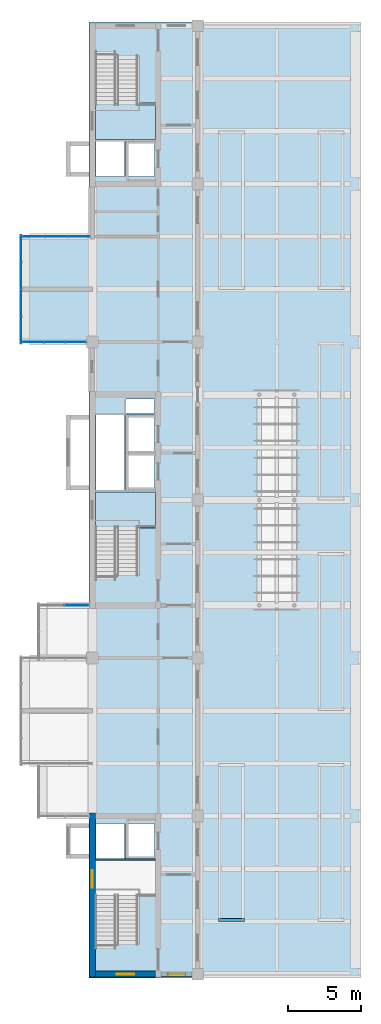
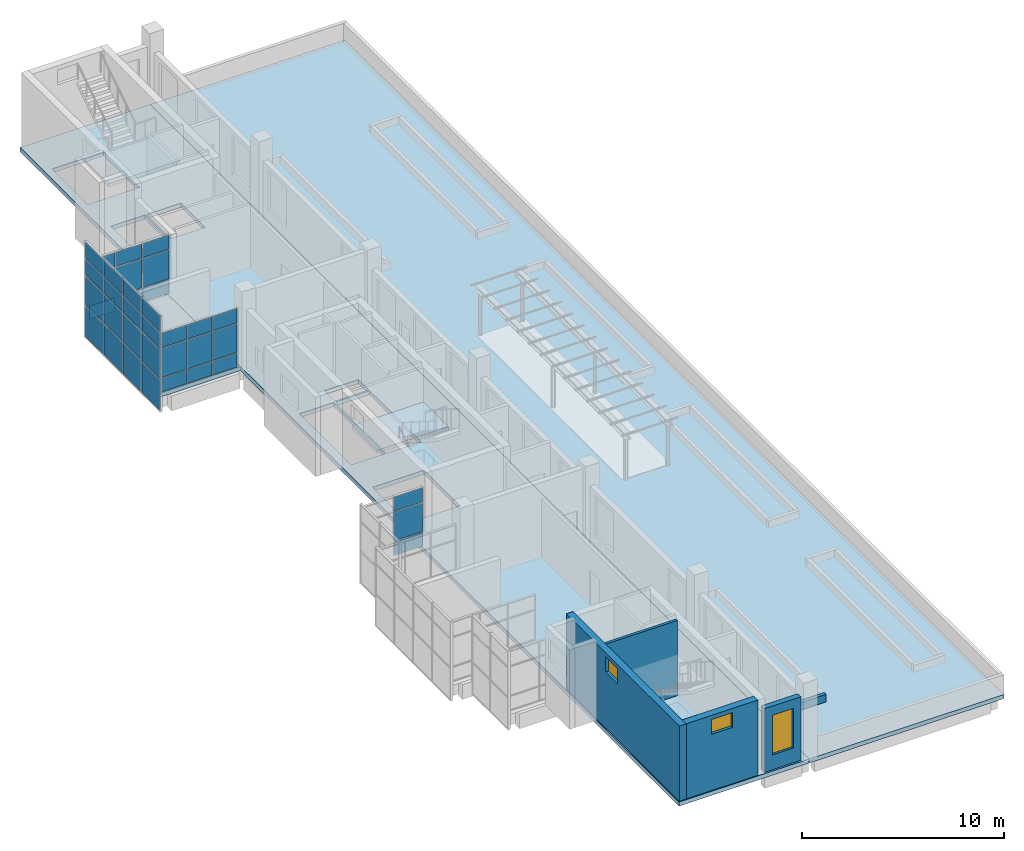
# One storey, part 11 of 16: 37 plates, 5 slabs, 5 walls, 3 windows, 3 openings, 6 elements without a shape of their own.
"""IFC4 building model written with IfcOpenShell, lengths in metres."""

from ifc_helpers import new_model, si_unit, direction, frame, frame_2d, origin, origin_2d, place, context, subcontext, project, spatial, polyline, rectangle, outline, extrude, material, layer, layer_set, type_object, element, fill, aggregate, save


model = new_model("IFC4")

# Units and contexts
model_context = context("Model", 3, precision=1e-05, world=origin(), true_north=direction((0.0, 1.0)))
body_context = subcontext(model_context, "Body", "Model", "MODEL_VIEW")
ifc_project = project(units=[si_unit("LENGTHUNIT", "METRE"), si_unit("AREAUNIT", "SQUARE_METRE"), si_unit("VOLUMEUNIT", "CUBIC_METRE"), si_unit("PLANEANGLEUNIT", "RADIAN"), si_unit("MASSUNIT", "GRAM", prefix="KILO")], contexts=[model_context])

# Site, building, storey
site_placement = place(None, origin())
site = spatial("IfcSite", under=ifc_project, at=site_placement, CompositionType="ELEMENT")
building_placement = place(site_placement, origin())
building = spatial("IfcBuilding", under=site, at=building_placement, Name="Basin Gate Institute", CompositionType="ELEMENT")
storey_placement = place(building_placement, frame((0.0, 0.0, 65.39990234375)))
storey = spatial("IfcBuildingStorey", under=building, at=storey_placement, Name="L13", CompositionType="ELEMENT", Elevation=65.39990234375)

# Slabs
ifc_material_1 = material(Name="Concrete 40 MPa", Category="concrete")
ifc_layer_1 = layer(ifc_material_1, 0.25)
ifc_layer_set_1 = layer_set([ifc_layer_1], Name="Concrete 40 MPa")
slab_type_1 = type_object("IfcSlabType", Name="Slab RS4 R120", PredefinedType="ROOF", material=ifc_layer_set_1)
slab_1_placement = place(storey_placement, frame((0.0, 0.0, -0.25)))
element("IfcSlab", 1, at=slab_1_placement, inside=storey, type_object=slab_type_1, material=ifc_layer_set_1, Name="SLAB/L13/W/LAB", PredefinedType="ROOF", context=body_context, shape_type="SweptSolid", body=[
    extrude(outline(polyline([(68.39990234375, 34.85009765625), (79.550048828125, 34.85009765625), (79.550048828125, 100.14990234375), (68.39990234375, 100.14990234375), (68.39990234375, 34.85009765625)])), origin(), (0.0, 0.0, 1.0), 0.25),
])
ifc_material_2 = material(Name="Concrete 40 MPa", Category="concrete")
ifc_layer_2 = layer(ifc_material_2, 0.25)
ifc_layer_set_2 = layer_set([ifc_layer_2], Name="Concrete 40 MPa")
slab_type_2 = type_object("IfcSlabType", Name="Slab SL4 R120", PredefinedType="FLOOR", material=ifc_layer_set_2)
slab_2_placement = place(storey_placement, frame((0.0, 0.0, -0.25)))
element("IfcSlab", 2, at=slab_2_placement, inside=storey, type_object=slab_type_2, material=ifc_layer_set_2, Name="SLAB/L13/W", PredefinedType="FLOOR", context=body_context, shape_type="SweptSolid", body=[
    extrude(outline(polyline([(60.949951171875, 34.85009765625), (68.39990234375, 34.85009765625), (68.39990234375, 100.14990234375), (60.949951171875, 100.14990234375), (60.949951171875, 34.85009765625)]), holes=[polyline([(61.39990234375, 37.25), (64.35009765625, 37.25), (64.35009765625, 40.7900390625), (61.39990234375, 40.7900390625), (61.39990234375, 37.25)]), polyline([(61.39990234375, 62.449951171875), (64.35009765625, 62.449951171875), (64.35009765625, 65.989990234375), (61.39990234375, 65.989990234375), (61.39990234375, 62.449951171875)]), polyline([(61.39990234375, 94.2099609375), (64.35009765625, 94.2099609375), (64.35009765625, 97.75), (61.39990234375, 97.75), (61.39990234375, 94.2099609375)]), polyline([(61.449951171875, 43.0), (63.39990234375, 43.0), (63.39990234375, 45.39990234375), (61.449951171875, 45.39990234375), (61.449951171875, 43.0)]), polyline([(61.449951171875, 68.199951171875), (63.39990234375, 68.199951171875), (63.39990234375, 73.300048828125), (61.449951171875, 73.300048828125), (61.449951171875, 68.199951171875)]), polyline([(63.5, 73.39990234375), (65.449951171875, 73.39990234375), (65.449951171875, 74.39990234375), (63.5, 74.39990234375), (63.5, 73.39990234375)]), polyline([(61.449951171875, 89.60009765625), (63.39990234375, 89.60009765625), (63.39990234375, 92.0), (61.449951171875, 92.0), (61.449951171875, 89.60009765625)]), polyline([(63.5, 43.0), (65.449951171875, 43.0), (65.449951171875, 45.39990234375), (63.5, 45.39990234375), (63.5, 43.0)]), polyline([(65.449951171875, 68.199951171875), (63.5, 68.199951171875), (63.5, 73.300048828125), (65.449951171875, 73.300048828125), (65.449951171875, 68.199951171875)]), polyline([(63.5, 89.60009765625), (65.449951171875, 89.60009765625), (65.449951171875, 92.0), (63.5, 92.0), (63.5, 89.60009765625)])]), origin(), (0.0, 0.0, 1.0), 0.25),
])
slab_3_placement = place(storey_placement, frame((0.0, 0.0, -0.25)))
element("IfcSlab", 3, at=slab_3_placement, inside=storey, type_object=slab_type_2, material=ifc_layer_set_2, Name="SLAB/L13/WK22", PredefinedType="FLOOR", context=body_context, shape_type="SweptSolid", body=[
    extrude(outline(polyline([(60.949951171875, 78.300048828125), (56.39990234375, 78.300048828125), (56.39990234375, 85.5), (60.949951171875, 85.5), (60.949951171875, 78.300048828125)])), origin(), (0.0, 0.0, 1.0), 0.25),
])

# Curtain wall, plate
ifc_material_3 = material(Name="Aluminium-framed glazing", Category="aluminium")
ifc_layer_3 = layer(ifc_material_3, 0.14990234375)
ifc_layer_set_3 = layer_set([ifc_layer_3], Name="Capsule front curtain wall CW1")
curtain_wall_type = type_object("IfcCurtainWallType", Name="Capsule front curtain wall CW1", PredefinedType="NOTDEFINED", material=ifc_layer_set_3)
curtain_wall_1_placement = place(storey_placement, origin())
curtain_wall_1 = element("IfcCurtainWall", 4, at=curtain_wall_1_placement, inside=storey, type_object=curtain_wall_type, material=ifc_layer_set_3, Name="Capsule front curtain wall W wing capsule end L13 line 8", PredefinedType="NOTDEFINED")
ifc_material_4 = material(Name="Aluminium insulated spandrel panel", Category="aluminium")
ifc_layer_4 = layer(ifc_material_4, 0.050048828125)
ifc_layer_set_4 = layer_set([ifc_layer_4], Name="Spandrel panel PN2")
plate_type_1 = type_object("IfcPlateType", Name="Spandrel panel PN2", PredefinedType="CURTAIN_PANEL", material=ifc_layer_set_4)
plate_1_placement = place(storey_placement, frame((60.137451171875, 60.300048828125, 0.06005859375), z_axis=(0.0, 0.0, 1.0), x_axis=(1.0, 0.0, 0.0)))
plate_1 = element("IfcPlate", 5, at=plate_1_placement, type_object=plate_type_1, material=ifc_layer_set_4, Name="CW1 spandrel panel 2.1", PredefinedType="CURTAIN_PANEL", context=body_context, shape_type="SweptSolid", body=[
    extrude(rectangle(XDim=1.625, YDim=0.050048828125, at=origin_2d()), origin(), (0.0, 0.0, 1.0), 0.81005859375),
])

# Curtain wall, plates
curtain_wall_2_placement = place(storey_placement, origin())
curtain_wall_2 = element("IfcCurtainWall", 6, at=curtain_wall_2_placement, inside=storey, type_object=curtain_wall_type, material=ifc_layer_set_3, Name="Capsule front curtain wall W wing capsule end L13 line 13", PredefinedType="NOTDEFINED")
plate_2_placement = place(storey_placement, frame((57.145751953125, 78.300048828125, 0.06005859375), z_axis=(0.0, 0.0, 1.0), x_axis=(1.0, 0.0, 0.0)))
plate_2 = element("IfcPlate", 7, at=plate_2_placement, type_object=plate_type_1, material=ifc_layer_set_4, Name="CW1 spandrel panel 1.1", PredefinedType="CURTAIN_PANEL", context=body_context, shape_type="SweptSolid", body=[
    extrude(rectangle(XDim=1.3916015625, YDim=0.050048828125, at=origin_2d()), origin(), (0.0, 0.0, 1.0), 0.81005859375),
])
plate_3_placement = place(storey_placement, frame((58.60009765625, 78.300048828125, 0.06005859375), z_axis=(0.0, 0.0, 1.0), x_axis=(1.0, 0.0, 0.0)))
plate_3 = element("IfcPlate", 8, at=plate_3_placement, type_object=plate_type_1, material=ifc_layer_set_4, Name="CW1 spandrel panel 2.1", PredefinedType="CURTAIN_PANEL", context=body_context, shape_type="SweptSolid", body=[
    extrude(rectangle(XDim=1.416748046875, YDim=0.050048828125, at=origin_2d()), origin(), (0.0, 0.0, 1.0), 0.81005859375),
])
plate_4_placement = place(storey_placement, frame((60.05419921875, 78.300048828125, 0.06005859375), z_axis=(0.0, 0.0, 1.0), x_axis=(1.0, 0.0, 0.0)))
plate_4 = element("IfcPlate", 9, at=plate_4_placement, type_object=plate_type_1, material=ifc_layer_set_4, Name="CW1 spandrel panel 3.1", PredefinedType="CURTAIN_PANEL", context=body_context, shape_type="SweptSolid", body=[
    extrude(rectangle(XDim=1.3916015625, YDim=0.050048828125, at=origin_2d()), origin(), (0.0, 0.0, 1.0), 0.81005859375),
])

curtain_wall_3_placement = place(storey_placement, origin())
curtain_wall_3 = element("IfcCurtainWall", 10, at=curtain_wall_3_placement, inside=storey, type_object=curtain_wall_type, material=ifc_layer_set_3, Name="Capsule front curtain wall W wing capsule end L13 line 15", PredefinedType="NOTDEFINED")
plate_5_placement = place(storey_placement, frame((57.1875, 85.5, 0.06005859375), z_axis=(0.0, 0.0, 1.0), x_axis=(1.0, 0.0, 0.0)))
plate_5 = element("IfcPlate", 11, at=plate_5_placement, type_object=plate_type_1, material=ifc_layer_set_4, Name="CW1 spandrel panel 1.1", PredefinedType="CURTAIN_PANEL", context=body_context, shape_type="SweptSolid", body=[
    extrude(rectangle(XDim=1.47509765625, YDim=0.050048828125, at=origin_2d()), origin(), (0.0, 0.0, 1.0), 0.81005859375),
])
plate_6_placement = place(storey_placement, frame((58.72509765625, 85.5, 0.06005859375), z_axis=(0.0, 0.0, 1.0), x_axis=(1.0, 0.0, 0.0)))
plate_6 = element("IfcPlate", 12, at=plate_6_placement, type_object=plate_type_1, material=ifc_layer_set_4, Name="CW1 spandrel panel 2.1", PredefinedType="CURTAIN_PANEL", context=body_context, shape_type="SweptSolid", body=[
    extrude(rectangle(XDim=1.5, YDim=0.050048828125, at=origin_2d()), origin(), (0.0, 0.0, 1.0), 0.81005859375),
])
plate_7_placement = place(storey_placement, frame((60.262451171875, 85.5, 0.06005859375), z_axis=(0.0, 0.0, 1.0), x_axis=(1.0, 0.0, 0.0)))
plate_7 = element("IfcPlate", 13, at=plate_7_placement, type_object=plate_type_1, material=ifc_layer_set_4, Name="CW1 spandrel panel 3.1", PredefinedType="CURTAIN_PANEL", context=body_context, shape_type="SweptSolid", body=[
    extrude(rectangle(XDim=1.47509765625, YDim=0.050048828125, at=origin_2d()), origin(), (0.0, 0.0, 1.0), 0.81005859375),
])

curtain_wall_4_placement = place(storey_placement, origin())
curtain_wall_4 = element("IfcCurtainWall", 14, at=curtain_wall_4_placement, inside=storey, type_object=curtain_wall_type, material=ifc_layer_set_3, Name="Capsule front curtain wall W wing capsule 2 L13 front 2", PredefinedType="NOTDEFINED")
plate_8_placement = place(storey_placement, frame((56.324951171875, 79.10009765625, -0.98974609375), z_axis=(0.0, 0.0, 1.0), x_axis=(0.0, 1.0, 0.0)))
plate_8 = element("IfcPlate", 15, at=plate_8_placement, type_object=plate_type_1, material=ifc_layer_set_4, Name="CW1 spandrel panel 1.1", PredefinedType="CURTAIN_PANEL", context=body_context, shape_type="SweptSolid", body=[
    extrude(rectangle(XDim=1.800048828125, YDim=0.050048828125, at=origin_2d()), origin(), (0.0, 0.0, 1.0), 1.860107421875),
])
plate_9_placement = place(storey_placement, frame((56.324951171875, 79.10009765625, 3.780029296875), z_axis=(0.0, 0.0, 1.0), x_axis=(0.0, 1.0, 0.0)))
plate_9 = element("IfcPlate", 16, at=plate_9_placement, type_object=plate_type_1, material=ifc_layer_set_4, Name="CW1 spandrel panel 1.4", PredefinedType="CURTAIN_PANEL", context=body_context, shape_type="SweptSolid", body=[
    extrude(rectangle(XDim=1.800048828125, YDim=0.050048828125, at=origin_2d()), origin(), (0.0, 0.0, 1.0), 0.9599609375),
])
plate_10_placement = place(storey_placement, frame((56.324951171875, 80.96240234375, -0.98974609375), z_axis=(0.0, 0.0, 1.0), x_axis=(0.0, 1.0, 0.0)))
plate_10 = element("IfcPlate", 17, at=plate_10_placement, type_object=plate_type_1, material=ifc_layer_set_4, Name="CW1 spandrel panel 2.1", PredefinedType="CURTAIN_PANEL", context=body_context, shape_type="SweptSolid", body=[
    extrude(rectangle(XDim=1.824951171875, YDim=0.050048828125, at=origin_2d()), origin(), (0.0, 0.0, 1.0), 1.860107421875),
])
plate_11_placement = place(storey_placement, frame((56.324951171875, 80.96240234375, 3.780029296875), z_axis=(0.0, 0.0, 1.0), x_axis=(0.0, 1.0, 0.0)))
plate_11 = element("IfcPlate", 18, at=plate_11_placement, type_object=plate_type_1, material=ifc_layer_set_4, Name="CW1 spandrel panel 2.4", PredefinedType="CURTAIN_PANEL", context=body_context, shape_type="SweptSolid", body=[
    extrude(rectangle(XDim=1.824951171875, YDim=0.050048828125, at=origin_2d()), origin(), (0.0, 0.0, 1.0), 0.9599609375),
])
plate_12_placement = place(storey_placement, frame((56.324951171875, 82.83740234375, -0.98974609375), z_axis=(0.0, 0.0, 1.0), x_axis=(0.0, 1.0, 0.0)))
plate_12 = element("IfcPlate", 19, at=plate_12_placement, type_object=plate_type_1, material=ifc_layer_set_4, Name="CW1 spandrel panel 3.1", PredefinedType="CURTAIN_PANEL", context=body_context, shape_type="SweptSolid", body=[
    extrude(rectangle(XDim=1.824951171875, YDim=0.050048828125, at=origin_2d()), origin(), (0.0, 0.0, 1.0), 1.860107421875),
])
plate_13_placement = place(storey_placement, frame((56.324951171875, 82.83740234375, 3.780029296875), z_axis=(0.0, 0.0, 1.0), x_axis=(0.0, 1.0, 0.0)))
plate_13 = element("IfcPlate", 20, at=plate_13_placement, type_object=plate_type_1, material=ifc_layer_set_4, Name="CW1 spandrel panel 3.4", PredefinedType="CURTAIN_PANEL", context=body_context, shape_type="SweptSolid", body=[
    extrude(rectangle(XDim=1.824951171875, YDim=0.050048828125, at=origin_2d()), origin(), (0.0, 0.0, 1.0), 0.9599609375),
])
plate_14_placement = place(storey_placement, frame((56.324951171875, 84.699951171875, -0.98974609375), z_axis=(0.0, 0.0, 1.0), x_axis=(0.0, 1.0, 0.0)))
plate_14 = element("IfcPlate", 21, at=plate_14_placement, type_object=plate_type_1, material=ifc_layer_set_4, Name="CW1 spandrel panel 4.1", PredefinedType="CURTAIN_PANEL", context=body_context, shape_type="SweptSolid", body=[
    extrude(rectangle(XDim=1.800048828125, YDim=0.050048828125, at=origin_2d()), origin(), (0.0, 0.0, 1.0), 1.860107421875),
])
plate_15_placement = place(storey_placement, frame((56.324951171875, 84.699951171875, 3.780029296875), z_axis=(0.0, 0.0, 1.0), x_axis=(0.0, 1.0, 0.0)))
plate_15 = element("IfcPlate", 22, at=plate_15_placement, type_object=plate_type_1, material=ifc_layer_set_4, Name="CW1 spandrel panel 4.4", PredefinedType="CURTAIN_PANEL", context=body_context, shape_type="SweptSolid", body=[
    extrude(rectangle(XDim=1.800048828125, YDim=0.050048828125, at=origin_2d()), origin(), (0.0, 0.0, 1.0), 0.9599609375),
])

# Stair, slab
ifc_material_5 = material(Name="Concrete 40 MPa", Category="concrete")
stair_type = type_object("IfcStairType", Name="Stair ST", PredefinedType="HALF_TURN_STAIR", material=ifc_material_5)
stair_1_placement = place(storey_placement, origin())
stair_1 = element("IfcStair", 23, at=stair_1_placement, inside=storey, type_object=stair_type, material=ifc_material_5, Name="Special safe stair ST-WM L13", PredefinedType="HALF_TURN_STAIR")
ifc_material_6 = material(Name="Concrete 40 MPa", Category="concrete")
ifc_layer_5 = layer(ifc_material_6, 0.199951171875)
ifc_layer_set_5 = layer_set([ifc_layer_5], Name="Concrete 40 MPa")
slab_type_3 = type_object("IfcSlabType", Name="Stair landing LN REI 120", PredefinedType="LANDING", material=ifc_layer_set_5)
slab_4_placement = place(storey_placement, frame((0.0, 0.0, 2.2890625)))
slab_4 = element("IfcSlab", 24, at=slab_4_placement, type_object=slab_type_3, material=ifc_layer_set_5, Name="Stair landing ST-WM-L1 L13", PredefinedType="LANDING", context=body_context, shape_type="SweptSolid", body=[
    extrude(outline(polyline([(61.39990234375, 65.570068359375), (65.5, 65.570068359375), (65.5, 68.050048828125), (61.39990234375, 68.050048828125), (61.39990234375, 65.570068359375)])), origin(), (0.0, 0.0, 1.0), 0.199951171875),
])
aggregate(stair_1, [slab_4])

stair_2_placement = place(storey_placement, origin())
stair_2 = element("IfcStair", 25, at=stair_2_placement, inside=storey, type_object=stair_type, material=ifc_material_5, Name="Special safe stair ST-WN L13", PredefinedType="HALF_TURN_STAIR")
slab_5_placement = place(storey_placement, frame((0.0, 0.0, 2.2890625)))
slab_5 = element("IfcSlab", 26, at=slab_5_placement, type_object=slab_type_3, material=ifc_layer_set_5, Name="Stair landing ST-WN-L1 L13", PredefinedType="LANDING", context=body_context, shape_type="SweptSolid", body=[
    extrude(outline(polyline([(61.39990234375, 92.14990234375), (65.5, 92.14990234375), (65.5, 94.6298828125), (61.39990234375, 94.6298828125), (61.39990234375, 92.14990234375)])), origin(), (0.0, 0.0, 1.0), 0.199951171875),
])
aggregate(stair_2, [slab_5])

# Plate
ifc_material_7 = material(Name="Double glazed unit")
ifc_layer_6 = layer(ifc_material_7, 0.028076171875)
ifc_layer_set_6 = layer_set([ifc_layer_6], Name="Vision panel PN1")
plate_type_2 = type_object("IfcPlateType", Name="Vision panel PN1", PredefinedType="CURTAIN_PANEL", material=ifc_layer_set_6)
plate_16_placement = place(storey_placement, frame((60.137451171875, 60.300048828125, 0.93017578125), z_axis=(0.0, 0.0, 1.0), x_axis=(1.0, 0.0, 0.0)))
plate_16 = element("IfcPlate", 27, at=plate_16_placement, type_object=plate_type_2, material=ifc_layer_set_6, Name="CW1 vision panel 2.2", PredefinedType="CURTAIN_PANEL", context=body_context, shape_type="SweptSolid", body=[
    extrude(rectangle(XDim=1.625, YDim=0.028076171875, at=origin_2d()), origin(), (0.0, 0.0, 1.0), 1.739990234375),
])

plate_17_placement = place(storey_placement, frame((60.137451171875, 60.300048828125, 2.72998046875), z_axis=(0.0, 0.0, 1.0), x_axis=(1.0, 0.0, 0.0)))
plate_17 = element("IfcPlate", 28, at=plate_17_placement, type_object=plate_type_2, material=ifc_layer_set_6, Name="CW1 vision panel 2.3", PredefinedType="CURTAIN_PANEL", context=body_context, shape_type="SweptSolid", body=[
    extrude(rectangle(XDim=1.625, YDim=0.028076171875, at=origin_2d()), origin(), (0.0, 0.0, 1.0), 0.860107421875),
])

aggregate(curtain_wall_1, [plate_1, plate_16, plate_17])

plate_18_placement = place(storey_placement, frame((57.145751953125, 78.300048828125, 0.93017578125), z_axis=(0.0, 0.0, 1.0), x_axis=(1.0, 0.0, 0.0)))
plate_18 = element("IfcPlate", 29, at=plate_18_placement, type_object=plate_type_2, material=ifc_layer_set_6, Name="CW1 vision panel 1.2", PredefinedType="CURTAIN_PANEL", context=body_context, shape_type="SweptSolid", body=[
    extrude(rectangle(XDim=1.3916015625, YDim=0.028076171875, at=origin_2d()), origin(), (0.0, 0.0, 1.0), 1.739990234375),
])

plate_19_placement = place(storey_placement, frame((57.145751953125, 78.300048828125, 2.72998046875), z_axis=(0.0, 0.0, 1.0), x_axis=(1.0, 0.0, 0.0)))
plate_19 = element("IfcPlate", 30, at=plate_19_placement, type_object=plate_type_2, material=ifc_layer_set_6, Name="CW1 vision panel 1.3", PredefinedType="CURTAIN_PANEL", context=body_context, shape_type="SweptSolid", body=[
    extrude(rectangle(XDim=1.3916015625, YDim=0.028076171875, at=origin_2d()), origin(), (0.0, 0.0, 1.0), 0.860107421875),
])

plate_20_placement = place(storey_placement, frame((58.60009765625, 78.300048828125, 0.93017578125), z_axis=(0.0, 0.0, 1.0), x_axis=(1.0, 0.0, 0.0)))
plate_20 = element("IfcPlate", 31, at=plate_20_placement, type_object=plate_type_2, material=ifc_layer_set_6, Name="CW1 vision panel 2.2", PredefinedType="CURTAIN_PANEL", context=body_context, shape_type="SweptSolid", body=[
    extrude(rectangle(XDim=1.416748046875, YDim=0.028076171875, at=origin_2d()), origin(), (0.0, 0.0, 1.0), 1.739990234375),
])

plate_21_placement = place(storey_placement, frame((58.60009765625, 78.300048828125, 2.72998046875), z_axis=(0.0, 0.0, 1.0), x_axis=(1.0, 0.0, 0.0)))
plate_21 = element("IfcPlate", 32, at=plate_21_placement, type_object=plate_type_2, material=ifc_layer_set_6, Name="CW1 vision panel 2.3", PredefinedType="CURTAIN_PANEL", context=body_context, shape_type="SweptSolid", body=[
    extrude(rectangle(XDim=1.416748046875, YDim=0.028076171875, at=origin_2d()), origin(), (0.0, 0.0, 1.0), 0.860107421875),
])

plate_22_placement = place(storey_placement, frame((60.05419921875, 78.300048828125, 0.93017578125), z_axis=(0.0, 0.0, 1.0), x_axis=(1.0, 0.0, 0.0)))
plate_22 = element("IfcPlate", 33, at=plate_22_placement, type_object=plate_type_2, material=ifc_layer_set_6, Name="CW1 vision panel 3.2", PredefinedType="CURTAIN_PANEL", context=body_context, shape_type="SweptSolid", body=[
    extrude(rectangle(XDim=1.3916015625, YDim=0.028076171875, at=origin_2d()), origin(), (0.0, 0.0, 1.0), 1.739990234375),
])

plate_23_placement = place(storey_placement, frame((60.05419921875, 78.300048828125, 2.72998046875), z_axis=(0.0, 0.0, 1.0), x_axis=(1.0, 0.0, 0.0)))
plate_23 = element("IfcPlate", 34, at=plate_23_placement, type_object=plate_type_2, material=ifc_layer_set_6, Name="CW1 vision panel 3.3", PredefinedType="CURTAIN_PANEL", context=body_context, shape_type="SweptSolid", body=[
    extrude(rectangle(XDim=1.3916015625, YDim=0.028076171875, at=origin_2d()), origin(), (0.0, 0.0, 1.0), 0.860107421875),
])

aggregate(curtain_wall_2, [plate_2, plate_18, plate_19, plate_3, plate_20, plate_21, plate_4, plate_22, plate_23])

plate_24_placement = place(storey_placement, frame((57.1875, 85.5, 0.93017578125), z_axis=(0.0, 0.0, 1.0), x_axis=(1.0, 0.0, 0.0)))
plate_24 = element("IfcPlate", 35, at=plate_24_placement, type_object=plate_type_2, material=ifc_layer_set_6, Name="CW1 vision panel 1.2", PredefinedType="CURTAIN_PANEL", context=body_context, shape_type="SweptSolid", body=[
    extrude(rectangle(XDim=1.47509765625, YDim=0.028076171875, at=origin_2d()), origin(), (0.0, 0.0, 1.0), 1.739990234375),
])

plate_25_placement = place(storey_placement, frame((57.1875, 85.5, 2.72998046875), z_axis=(0.0, 0.0, 1.0), x_axis=(1.0, 0.0, 0.0)))
plate_25 = element("IfcPlate", 36, at=plate_25_placement, type_object=plate_type_2, material=ifc_layer_set_6, Name="CW1 vision panel 1.3", PredefinedType="CURTAIN_PANEL", context=body_context, shape_type="SweptSolid", body=[
    extrude(rectangle(XDim=1.47509765625, YDim=0.028076171875, at=origin_2d()), origin(), (0.0, 0.0, 1.0), 0.860107421875),
])

plate_26_placement = place(storey_placement, frame((58.72509765625, 85.5, 0.93017578125), z_axis=(0.0, 0.0, 1.0), x_axis=(1.0, 0.0, 0.0)))
plate_26 = element("IfcPlate", 37, at=plate_26_placement, type_object=plate_type_2, material=ifc_layer_set_6, Name="CW1 vision panel 2.2", PredefinedType="CURTAIN_PANEL", context=body_context, shape_type="SweptSolid", body=[
    extrude(rectangle(XDim=1.5, YDim=0.028076171875, at=origin_2d()), origin(), (0.0, 0.0, 1.0), 1.739990234375),
])

plate_27_placement = place(storey_placement, frame((58.72509765625, 85.5, 2.72998046875), z_axis=(0.0, 0.0, 1.0), x_axis=(1.0, 0.0, 0.0)))
plate_27 = element("IfcPlate", 38, at=plate_27_placement, type_object=plate_type_2, material=ifc_layer_set_6, Name="CW1 vision panel 2.3", PredefinedType="CURTAIN_PANEL", context=body_context, shape_type="SweptSolid", body=[
    extrude(rectangle(XDim=1.5, YDim=0.028076171875, at=origin_2d()), origin(), (0.0, 0.0, 1.0), 0.860107421875),
])

plate_28_placement = place(storey_placement, frame((60.262451171875, 85.5, 0.93017578125), z_axis=(0.0, 0.0, 1.0), x_axis=(1.0, 0.0, 0.0)))
plate_28 = element("IfcPlate", 39, at=plate_28_placement, type_object=plate_type_2, material=ifc_layer_set_6, Name="CW1 vision panel 3.2", PredefinedType="CURTAIN_PANEL", context=body_context, shape_type="SweptSolid", body=[
    extrude(rectangle(XDim=1.47509765625, YDim=0.028076171875, at=origin_2d()), origin(), (0.0, 0.0, 1.0), 1.739990234375),
])

plate_29_placement = place(storey_placement, frame((60.262451171875, 85.5, 2.72998046875), z_axis=(0.0, 0.0, 1.0), x_axis=(1.0, 0.0, 0.0)))
plate_29 = element("IfcPlate", 40, at=plate_29_placement, type_object=plate_type_2, material=ifc_layer_set_6, Name="CW1 vision panel 3.3", PredefinedType="CURTAIN_PANEL", context=body_context, shape_type="SweptSolid", body=[
    extrude(rectangle(XDim=1.47509765625, YDim=0.028076171875, at=origin_2d()), origin(), (0.0, 0.0, 1.0), 0.860107421875),
])

aggregate(curtain_wall_3, [plate_5, plate_24, plate_25, plate_6, plate_26, plate_27, plate_7, plate_28, plate_29])

plate_30_placement = place(storey_placement, frame((56.324951171875, 79.10009765625, 0.93017578125), z_axis=(0.0, 0.0, 1.0), x_axis=(0.0, 1.0, 0.0)))
plate_30 = element("IfcPlate", 41, at=plate_30_placement, type_object=plate_type_2, material=ifc_layer_set_6, Name="CW1 vision panel 1.2", PredefinedType="CURTAIN_PANEL", context=body_context, shape_type="SweptSolid", body=[
    extrude(rectangle(XDim=1.800048828125, YDim=0.028076171875, at=origin_2d()), origin(), (0.0, 0.0, 1.0), 1.739990234375),
])

plate_31_placement = place(storey_placement, frame((56.324951171875, 79.10009765625, 2.72998046875), z_axis=(0.0, 0.0, 1.0), x_axis=(0.0, 1.0, 0.0)))
plate_31 = element("IfcPlate", 42, at=plate_31_placement, type_object=plate_type_2, material=ifc_layer_set_6, Name="CW1 vision panel 1.3", PredefinedType="CURTAIN_PANEL", context=body_context, shape_type="SweptSolid", body=[
    extrude(rectangle(XDim=1.800048828125, YDim=0.028076171875, at=origin_2d()), origin(), (0.0, 0.0, 1.0), 0.989990234375),
])

plate_32_placement = place(storey_placement, frame((56.324951171875, 80.96240234375, 0.93017578125), z_axis=(0.0, 0.0, 1.0), x_axis=(0.0, 1.0, 0.0)))
plate_32 = element("IfcPlate", 43, at=plate_32_placement, type_object=plate_type_2, material=ifc_layer_set_6, Name="CW1 vision panel 2.2", PredefinedType="CURTAIN_PANEL", context=body_context, shape_type="SweptSolid", body=[
    extrude(rectangle(XDim=1.824951171875, YDim=0.028076171875, at=origin_2d()), origin(), (0.0, 0.0, 1.0), 1.739990234375),
])

plate_33_placement = place(storey_placement, frame((56.324951171875, 80.96240234375, 2.72998046875), z_axis=(0.0, 0.0, 1.0), x_axis=(0.0, 1.0, 0.0)))
plate_33 = element("IfcPlate", 44, at=plate_33_placement, type_object=plate_type_2, material=ifc_layer_set_6, Name="CW1 vision panel 2.3", PredefinedType="CURTAIN_PANEL", context=body_context, shape_type="SweptSolid", body=[
    extrude(rectangle(XDim=1.824951171875, YDim=0.028076171875, at=origin_2d()), origin(), (0.0, 0.0, 1.0), 0.989990234375),
])

plate_34_placement = place(storey_placement, frame((56.324951171875, 82.83740234375, 0.93017578125), z_axis=(0.0, 0.0, 1.0), x_axis=(0.0, 1.0, 0.0)))
plate_34 = element("IfcPlate", 45, at=plate_34_placement, type_object=plate_type_2, material=ifc_layer_set_6, Name="CW1 vision panel 3.2", PredefinedType="CURTAIN_PANEL", context=body_context, shape_type="SweptSolid", body=[
    extrude(rectangle(XDim=1.824951171875, YDim=0.028076171875, at=origin_2d()), origin(), (0.0, 0.0, 1.0), 1.739990234375),
])

plate_35_placement = place(storey_placement, frame((56.324951171875, 82.83740234375, 2.72998046875), z_axis=(0.0, 0.0, 1.0), x_axis=(0.0, 1.0, 0.0)))
plate_35 = element("IfcPlate", 46, at=plate_35_placement, type_object=plate_type_2, material=ifc_layer_set_6, Name="CW1 vision panel 3.3", PredefinedType="CURTAIN_PANEL", context=body_context, shape_type="SweptSolid", body=[
    extrude(rectangle(XDim=1.824951171875, YDim=0.028076171875, at=origin_2d()), origin(), (0.0, 0.0, 1.0), 0.989990234375),
])

plate_36_placement = place(storey_placement, frame((56.324951171875, 84.699951171875, 0.93017578125), z_axis=(0.0, 0.0, 1.0), x_axis=(0.0, 1.0, 0.0)))
plate_36 = element("IfcPlate", 47, at=plate_36_placement, type_object=plate_type_2, material=ifc_layer_set_6, Name="CW1 vision panel 4.2", PredefinedType="CURTAIN_PANEL", context=body_context, shape_type="SweptSolid", body=[
    extrude(rectangle(XDim=1.800048828125, YDim=0.028076171875, at=origin_2d()), origin(), (0.0, 0.0, 1.0), 1.739990234375),
])

plate_37_placement = place(storey_placement, frame((56.324951171875, 84.699951171875, 2.72998046875), z_axis=(0.0, 0.0, 1.0), x_axis=(0.0, 1.0, 0.0)))
plate_37 = element("IfcPlate", 48, at=plate_37_placement, type_object=plate_type_2, material=ifc_layer_set_6, Name="CW1 vision panel 4.3", PredefinedType="CURTAIN_PANEL", context=body_context, shape_type="SweptSolid", body=[
    extrude(rectangle(XDim=1.800048828125, YDim=0.028076171875, at=origin_2d()), origin(), (0.0, 0.0, 1.0), 0.989990234375),
])

aggregate(curtain_wall_4, [plate_8, plate_30, plate_31, plate_9, plate_10, plate_32, plate_33, plate_11, plate_12, plate_34, plate_35, plate_13, plate_14, plate_36, plate_37, plate_15])

# Wall, opening, window
ifc_material_8 = material(Name="Aluminium-faced insulated panel wall", Category="aluminium")
ifc_layer_7 = layer(ifc_material_8, 0.300048828125)
ifc_layer_set_7 = layer_set([ifc_layer_7], Name="External wall EW1 EI 120")
wall_type_1 = type_object("IfcWallType", Name="External wall EW1 EI 120", PredefinedType="STANDARD", material=ifc_layer_set_7)
wall_1_placement = place(storey_placement, frame((65.89990234375, 35.10009765625, 0.0), z_axis=(0.0, 0.0, 1.0), x_axis=(1.0, 0.0, 0.0)))
wall_1 = element("IfcWall", 49, at=wall_1_placement, inside=storey, type_object=wall_type_1, material=ifc_layer_set_7, Name="External end wall W wing south L13 1", PredefinedType="STANDARD", context=body_context, shape_type="SweptSolid", body=[
    extrude(rectangle(XDim=2.10009765625, YDim=0.300048828125, at=frame_2d((1.050048828125, 0.0))), origin(), (0.0, 0.0, 1.0), 3.85009765625),
])
opening_1_placement = place(wall_1_placement, frame((0.449951171875, 0.0, 0.89990234375)))
opening_1 = element("IfcOpeningElement", 50, at=opening_1_placement, cuts=wall_1, Name="Opening WN4", PredefinedType="OPENING", context=body_context, shape_type="SweptSolid", body=[
    extrude(rectangle(XDim=1.199951171875, YDim=2.39990234375, at=frame_2d((0.60009765625, 1.199951171875))), frame((0.0, 0.16015625, 0.0), z_axis=(0.0, -1.0, 0.0), x_axis=(1.0, 0.0, 0.0)), (0.0, 0.0, 1.0), 0.320068359375),
])
ifc_material_9 = material(Name="Aluminium-framed double glazing", Category="aluminium")
window_type_1 = type_object("IfcWindowType", Name="Corridor end window WN4", PartitioningType="SINGLE_PANEL", PredefinedType="WINDOW", material=ifc_material_9)
window_1_placement = place(opening_1_placement, origin())
window_1 = element("IfcWindow", 51, at=window_1_placement, inside=storey, type_object=window_type_1, material=ifc_material_9, Name="Corridor end window W wing S L13", OverallHeight=2.39990234375, OverallWidth=1.199951171875, PartitioningType="SINGLE_PANEL", PredefinedType="WINDOW", context=body_context, shape_type="SweptSolid", body=[
    extrude(rectangle(XDim=1.199951171875, YDim=2.39990234375, at=frame_2d((0.60009765625, 1.199951171875))), frame((0.0, 0.030029296875, 0.0), z_axis=(0.0, -1.0, 0.0), x_axis=(1.0, 0.0, 0.0)), (0.0, 0.0, 1.0), 0.06005859375),
])
fill(opening_1, window_1)

# Walls
ifc_material_10 = material(Name="Concrete 40 MPa", Category="concrete")
ifc_layer_8 = layer(ifc_material_10, 0.199951171875)
ifc_layer_set_8 = layer_set([ifc_layer_8], Name="Concrete 40 MPa")
wall_type_2 = type_object("IfcWallType", Name="Planter wall PT1", PredefinedType="SOLIDWALL", material=ifc_layer_set_8)
wall_2_placement = place(storey_placement, frame((69.800048828125, 38.800048828125, 0.0), z_axis=(0.0, 0.0, 1.0), x_axis=(1.0, 0.0, 0.0)))
element("IfcWall", 52, at=wall_2_placement, inside=storey, type_object=wall_type_2, material=ifc_layer_set_8, Name="Planter wall PT1 W5", PredefinedType="SOLIDWALL", context=body_context, shape_type="SweptSolid", body=[
    extrude(rectangle(XDim=1.800048828125, YDim=0.199951171875, at=frame_2d((0.89990234375, 0.0))), origin(), (0.0, 0.0, 1.0), 0.4501953125),
])
ifc_material_11 = material(Name="Concrete 40 MPa", Category="concrete")
ifc_layer_9 = layer(ifc_material_11, 0.14990234375)
ifc_layer_set_9 = layer_set([ifc_layer_9], Name="Concrete 40 MPa")
wall_type_3 = type_object("IfcWallType", Name="Wall SE1 stair enclosure R120", PredefinedType="SOLIDWALL", material=ifc_layer_set_9)
wall_3_placement = place(storey_placement, frame((61.39990234375, 42.925048828125, 0.0), z_axis=(0.0, 0.0, 1.0), x_axis=(1.0, 0.0, 0.0)))
element("IfcWall", 53, at=wall_3_placement, inside=storey, type_object=wall_type_3, material=ifc_layer_set_9, Name="Stair enclosure wall ST-WS L13", PredefinedType="SOLIDWALL", context=body_context, shape_type="SweptSolid", body=[
    extrude(rectangle(XDim=4.10009765625, YDim=0.14990234375, at=frame_2d((2.050048828125, 0.0))), origin(), (0.0, 0.0, 1.0), 4.550048828125),
])

# Wall, opening, window
ifc_material_12 = material(Name="Concrete 50 MPa", Category="concrete")
ifc_layer_10 = layer(ifc_material_12, 0.39990234375)
ifc_layer_set_10 = layer_set([ifc_layer_10], Name="Concrete 50 MPa")
wall_type_4 = type_object("IfcWallType", Name="Wall SW2 R120", PredefinedType="SHEAR", material=ifc_layer_set_10)
wall_4_placement = place(storey_placement, frame((61.199951171875, 34.89990234375, 0.0), z_axis=(0.0, 0.0, 1.0), x_axis=(0.0, 1.0, 0.0)))
wall_4 = element("IfcWall", 54, at=wall_4_placement, inside=storey, type_object=wall_type_4, material=ifc_layer_set_10, Name="WALL/L13/WS/L", PredefinedType="SHEAR", context=body_context, shape_type="SweptSolid", body=[
    extrude(rectangle(XDim=11.2001953125, YDim=0.39990234375, at=frame_2d((5.60009765625, 0.0))), origin(), (0.0, 0.0, 1.0), 4.550048828125),
])
opening_2_placement = place(wall_4_placement, frame((6.110107421875, 0.0, 3.39990234375)))
opening_2 = element("IfcOpeningElement", 55, at=opening_2_placement, cuts=wall_4, Name="Opening WT2", PredefinedType="OPENING", context=body_context, shape_type="SweptSolid", body=[
    extrude(rectangle(XDim=1.199951171875, YDim=0.89990234375, at=frame_2d((0.60009765625, 0.449951171875))), frame((0.0, 0.2099609375, 0.0), z_axis=(0.0, -1.0, 0.0), x_axis=(1.0, 0.0, 0.0)), (0.0, 0.0, 1.0), 0.419921875),
])
ifc_material_13 = material(Name="Fire-resistant glazing in steel-free frame", Category="steel")
window_type_2 = type_object("IfcWindowType", Name="Rated stair window EI 120 WT2", PartitioningType="SINGLE_PANEL", PredefinedType="WINDOW", material=ifc_material_13)
window_2_placement = place(opening_2_placement, origin())
window_2 = element("IfcWindow", 56, at=window_2_placement, inside=storey, type_object=window_type_2, material=ifc_material_13, Name="Rated stair window EI 120 WS landing L13", OverallHeight=0.89990234375, OverallWidth=1.199951171875, PartitioningType="SINGLE_PANEL", PredefinedType="WINDOW", context=body_context, shape_type="SweptSolid", body=[
    extrude(rectangle(XDim=1.199951171875, YDim=0.89990234375, at=frame_2d((0.60009765625, 0.449951171875))), frame((0.0, 0.030029296875, 0.0), z_axis=(0.0, -1.0, 0.0), x_axis=(1.0, 0.0, 0.0)), (0.0, 0.0, 1.0), 0.06005859375),
])
fill(opening_2, window_2)

wall_5_placement = place(storey_placement, frame((61.39990234375, 35.10009765625, 0.0), z_axis=(0.0, 0.0, 1.0), x_axis=(1.0, 0.0, 0.0)))
wall_5 = element("IfcWall", 57, at=wall_5_placement, inside=storey, type_object=wall_type_4, material=ifc_layer_set_10, Name="WALL/L13/WS/S", PredefinedType="SHEAR", context=body_context, shape_type="SweptSolid", body=[
    extrude(rectangle(XDim=4.10009765625, YDim=0.39990234375, at=frame_2d((2.050048828125, 0.0))), origin(), (0.0, 0.0, 1.0), 4.550048828125),
])
opening_3_placement = place(wall_5_placement, frame((1.449951171875, 0.0, 3.39990234375)))
opening_3 = element("IfcOpeningElement", 58, at=opening_3_placement, cuts=wall_5, Name="Opening WT2", PredefinedType="OPENING", context=body_context, shape_type="SweptSolid", body=[
    extrude(rectangle(XDim=1.199951171875, YDim=0.89990234375, at=frame_2d((0.60009765625, 0.449951171875))), frame((0.0, 0.2099609375, 0.0), z_axis=(0.0, -1.0, 0.0), x_axis=(1.0, 0.0, 0.0)), (0.0, 0.0, 1.0), 0.419921875),
])
window_3_placement = place(opening_3_placement, origin())
window_3 = element("IfcWindow", 59, at=window_3_placement, inside=storey, type_object=window_type_2, material=ifc_material_13, Name="Rated stair window EI 120 WS end L13", OverallHeight=0.89990234375, OverallWidth=1.199951171875, PartitioningType="SINGLE_PANEL", PredefinedType="WINDOW", context=body_context, shape_type="SweptSolid", body=[
    extrude(rectangle(XDim=1.199951171875, YDim=0.89990234375, at=frame_2d((0.60009765625, 0.449951171875))), frame((0.0, 0.030029296875, 0.0), z_axis=(0.0, -1.0, 0.0), x_axis=(1.0, 0.0, 0.0)), (0.0, 0.0, 1.0), 0.06005859375),
])
fill(opening_3, window_3)

save(model, "model.ifc")
